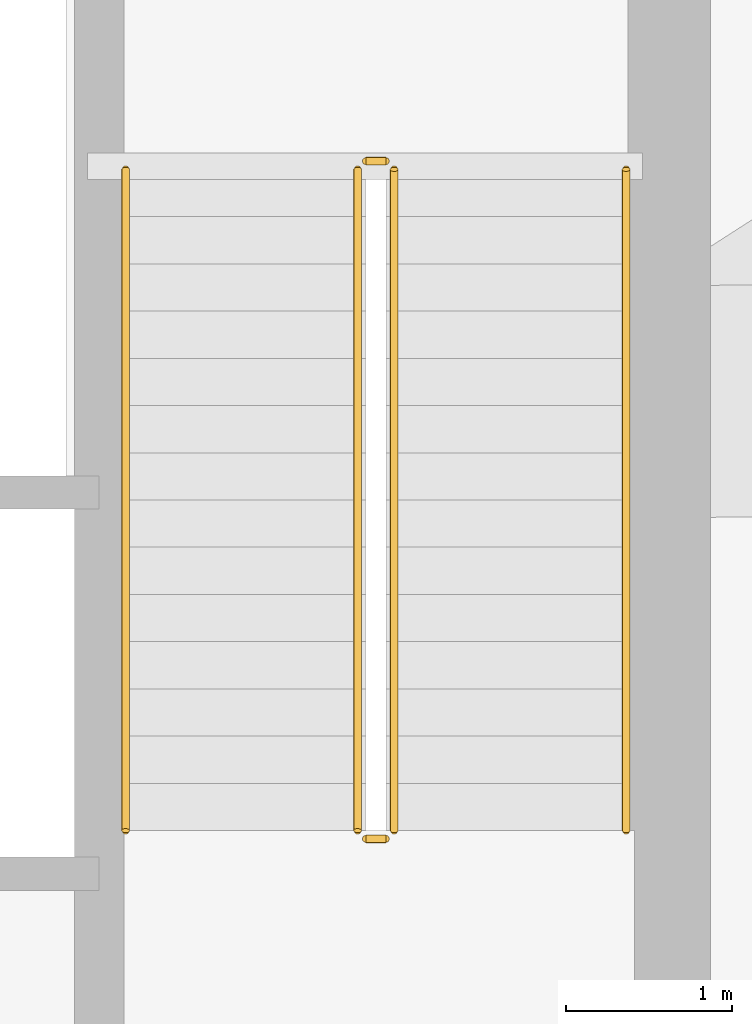
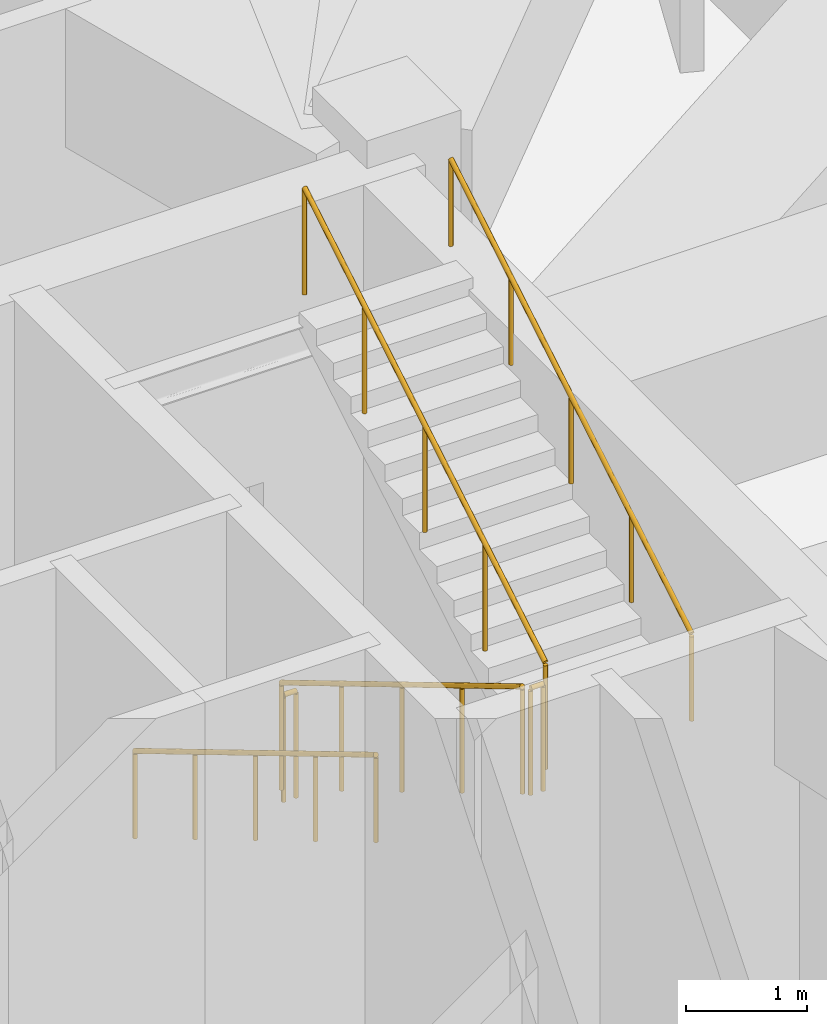
# One storey, part 18 of 18: 6 railings.
"""IFC4 building model written with IfcOpenShell, lengths in metres."""

import ifcopenshell
import ifcopenshell.guid

model = None  # the IFC model being written
_history = None  # IfcOwnerHistory: only IFC2X3 demands one
_inside = {}  # id of a spatial element -> (the spatial element, [elements in it])
_under = {}  # id of a project, library or spatial element -> (it, [spatial elements below it])
_declared = {}  # id of a project -> (the project, [libraries it declares])
_typed = {}  # id of a type object -> (the type object, [elements of that type])
_made_of = {}  # id of a material, layer set ... -> (it, [elements and type objects made of it])


def new_model(schema):
    """Start an empty IFC model of exactly this schema.

    Asked for "IFC4X3", IfcOpenShell would pick the latest addendum, in which some entities
    have other attributes; the version numbers below select the first issue.
    IFC2X3 requires an IfcOwnerHistory on every rooted entity: one is made here for all.
    """
    global model, _history
    if schema == "IFC4X3":
        model = ifcopenshell.file(schema_version=(4, 3, 0, 0))
    else:
        model = ifcopenshell.file(schema=schema)
    _inside.clear()
    _under.clear()
    _declared.clear()
    _typed.clear()
    _made_of.clear()
    _history = None
    if model.schema == "IFC2X3":
        org = make("IfcOrganization", Name="unknown")
        user = make(
            "IfcPersonAndOrganization",
            ThePerson=make("IfcPerson", FamilyName="unknown"),
            TheOrganization=org,
        )
        app = make(
            "IfcApplication",
            ApplicationDeveloper=org,
            Version="unknown",
            ApplicationFullName="unknown",
            ApplicationIdentifier="unknown",
        )
        _history = make(
            "IfcOwnerHistory",
            OwningUser=user,
            OwningApplication=app,
            ChangeAction="ADDED",
            CreationDate=0,
        )
    return model


def make(cls, **values):
    """One entity of the class cls with the attributes given. An attribute that is None is left unset."""
    return model.create_entity(
        cls, **{name: value for name, value in values.items() if value is not None}
    )


def rooted(cls, **values):
    """An entity with a GlobalId (a new one), such as an element, a storey or a relation."""
    return make(cls, GlobalId=ifcopenshell.guid.new(), OwnerHistory=_history, **values)


def si_unit(unit_type, name, prefix=None):
    """IfcSIUnit, for example si_unit("LENGTHUNIT", "METRE", prefix="MILLI")."""
    return make("IfcSIUnit", UnitType=unit_type, Prefix=prefix, Name=name)


def assignment(units):
    """IfcUnitAssignment: the units of a project."""
    return None if units is None else make("IfcUnitAssignment", Units=units)


def point(xyz):
    """IfcCartesianPoint."""
    return None if xyz is None else make("IfcCartesianPoint", Coordinates=xyz)


def direction(xyz):
    """IfcDirection."""
    return None if xyz is None else make("IfcDirection", DirectionRatios=xyz)


def frame(location, z_axis=None, x_axis=None):
    """IfcAxis2Placement3D, a coordinate frame: its origin and axes. An axis left out is left unset."""
    return make(
        "IfcAxis2Placement3D",
        Location=point(location),
        Axis=direction(z_axis),
        RefDirection=direction(x_axis),
    )


def frame_2d(location, x_axis=None):
    """IfcAxis2Placement2D, a coordinate frame in the plane: its origin and x axis."""
    return make(
        "IfcAxis2Placement2D", Location=point(location), RefDirection=direction(x_axis)
    )


def origin():
    """The frame at (0, 0, 0) with its axes left unset."""
    return frame((0.0, 0.0, 0.0))


def origin_2d():
    """The frame at (0, 0) in the plane with its x axis left unset."""
    return frame_2d((0.0, 0.0))


def place(relative_to, where):
    """IfcLocalPlacement: puts the frame where relative to a parent placement (None: the world)."""
    return make(
        "IfcLocalPlacement", PlacementRelTo=relative_to, RelativePlacement=where
    )


def context(
    kind, dimensions, precision=None, world=None, true_north=None, identifier=None
):
    """IfcGeometricRepresentationContext, for example the 3D "Model" context."""
    return make(
        "IfcGeometricRepresentationContext",
        ContextIdentifier=identifier,
        ContextType=kind,
        CoordinateSpaceDimension=dimensions,
        Precision=precision,
        WorldCoordinateSystem=world,
        TrueNorth=true_north,
    )


def subcontext(parent, identifier, kind, view, scale=None):
    """IfcGeometricRepresentationSubContext, for example "Body" below "Model"."""
    return make(
        "IfcGeometricRepresentationSubContext",
        ContextIdentifier=identifier,
        ContextType=kind,
        ParentContext=parent,
        TargetScale=scale,
        TargetView=view,
    )


def project(units=None, contexts=None):
    """IfcProject with its units and contexts."""
    return rooted(
        "IfcProject",
        Name="project",
        RepresentationContexts=contexts,
        UnitsInContext=assignment(units),
    )


def spatial(cls, under=None, at=None, **own):
    """A site, building, storey or space (cls), placed at a placement, below another one or the project."""
    s = rooted(cls, ObjectPlacement=at, **own)
    if under is not None:
        _under.setdefault(under.id(), (under, []))[1].append(s)
    return s


def profile(cls, at=None, kind="AREA", **sizes):
    """A parametric profile (cls). Its sizes go by their IFC names, for example OverallWidth=200.0."""
    return make(cls, ProfileType=kind, Position=at, **sizes)


def circle(**sizes):
    """IfcCircleProfileDef."""
    return profile("IfcCircleProfileDef", **sizes)


def extrude(swept, where, along, depth):
    """IfcExtrudedAreaSolid: the profile swept, set in the frame where, extruded along a direction by depth."""
    return make(
        "IfcExtrudedAreaSolid",
        SweptArea=swept,
        Position=where,
        ExtrudedDirection=direction(along),
        Depth=depth,
    )


def shape(context_of_items, identifier, shape_type, items):
    """IfcShapeRepresentation: the items that make up one representation, for example the "Body"."""
    return make(
        "IfcShapeRepresentation",
        ContextOfItems=context_of_items,
        RepresentationIdentifier=identifier,
        RepresentationType=shape_type,
        Items=items,
    )


def material(Name=None, Category=None):
    """IfcMaterial."""
    return make("IfcMaterial", Name=Name, Category=Category)


def made_of(thing, what):
    """Note that an element or type object is made of a material, layer set ...; save() writes the relation."""
    if what is not None:
        _made_of.setdefault(what.id(), (what, []))[1].append(thing)
    return thing


def type_object(cls, material=None, **own):
    """A type object (cls), such as IfcWallType, which elements share."""
    return made_of(rooted(cls, **own), material)


def element(
    cls,
    number,
    at=None,
    inside=None,
    cuts=None,
    type_object=None,
    material=None,
    context=None,
    identifier="Body",
    shape_type=None,
    held_by="IfcProductDefinitionShape",
    body=None,
    shapes=None,
    **own,
):
    """One element of the class cls, such as IfcWall. Its Tag is "e" and its number.

    at: its placement. inside: the storey or other place that contains it. cuts: it is an
    opening in that element (IfcRelVoidsElement). A single representation is given by context,
    identifier, shape_type and body (its items); several are given by shapes. held_by: the class
    of the entity that holds the representations. save() writes the other relations.
    """
    e = rooted(cls, Tag="e%d" % number, ObjectPlacement=at, **own)
    if body is not None:
        shapes = [shape(context, identifier, shape_type, body)]
    if shapes is not None:
        e.Representation = make(held_by, Representations=shapes)
    if inside is not None:
        _inside.setdefault(inside.id(), (inside, []))[1].append(e)
    if cuts is not None:
        rooted(
            "IfcRelVoidsElement", RelatingBuildingElement=cuts, RelatedOpeningElement=e
        )
    if type_object is not None:
        _typed.setdefault(type_object.id(), (type_object, []))[1].append(e)
    return made_of(e, material)


def aggregate(whole, parts):
    """IfcRelAggregates: a whole, such as a stair, and the parts it consists of."""
    return rooted("IfcRelAggregates", RelatingObject=whole, RelatedObjects=parts)


def save(model, path):
    """Write the relations noted so far, then the file.

    IfcRelAggregates (storeys below a building ...), IfcRelContainedInSpatialStructure (elements
    in a storey), IfcRelDefinesByType, IfcRelAssociatesMaterial and IfcRelDeclares: one each for
    every whole, place, type object, material and project.
    """
    for whole, parts in _under.values():
        aggregate(whole, parts)
    for where, things in _inside.values():
        rooted(
            "IfcRelContainedInSpatialStructure",
            RelatedElements=things,
            RelatingStructure=where,
        )
    for kind, things in _typed.values():
        rooted("IfcRelDefinesByType", RelatedObjects=things, RelatingType=kind)
    for what, things in _made_of.values():
        rooted("IfcRelAssociatesMaterial", RelatedObjects=things, RelatingMaterial=what)
    for by, libraries in _declared.values():
        rooted("IfcRelDeclares", RelatingContext=by, RelatedDefinitions=libraries)
    model.write(path)


model = new_model("IFC4")

# Units and contexts
model_context = context("Model", 3, precision=1e-05, world=origin(), true_north=direction((0.0, 1.0)))
body_context = subcontext(model_context, "Body", "Model", "MODEL_VIEW")
ifc_project = project(units=[si_unit("LENGTHUNIT", "METRE"), si_unit("AREAUNIT", "SQUARE_METRE"), si_unit("VOLUMEUNIT", "CUBIC_METRE"), si_unit("PLANEANGLEUNIT", "RADIAN"), si_unit("MASSUNIT", "GRAM", prefix="KILO")], contexts=[model_context])

# Site, building, storey
site_placement = place(None, origin())
site = spatial("IfcSite", under=ifc_project, at=site_placement, CompositionType="ELEMENT")
building_placement = place(site_placement, origin())
building = spatial("IfcBuilding", under=site, at=building_placement, Name="Qobustan Lattice House", CompositionType="ELEMENT")
storey_placement = place(building_placement, frame((0.0, 0.0, 174.550048828125)))
storey = spatial("IfcBuildingStorey", under=building, at=storey_placement, Name="L49", CompositionType="ELEMENT", Elevation=174.550048828125)

# Railings
ifc_material_1 = material(Name="Brushed stainless steel handrail", Category="steel")
railing_type_1 = type_object("IfcRailingType", Name="RAL-HR-920", PredefinedType="HANDRAIL", material=ifc_material_1)
railing_1_placement = place(storey_placement, frame((15.179931640625, 3.5, 0.169921875)))
element("IfcRailing", 1, at=railing_1_placement, inside=storey, type_object=railing_type_1, Name="L49 ST-E1 stair handrail 1", PredefinedType="HANDRAIL", context=body_context, shape_type="SweptSolid", body=[
    extrude(circle(Radius=0.02392578125, at=origin_2d()), frame((0.0, 0.0, 0.8759765625), z_axis=(0.0, -0.858806931142, 0.512299380267), x_axis=(1.0, 0.0, 0.0)), (0.0, 0.0, 1.0), 4.64599609375),
    extrude(circle(Radius=0.02099609375, at=origin_2d()), origin(), (0.0, 0.0, 1.0), 0.851806640625),
    extrude(circle(Radius=0.02099609375, at=origin_2d()), frame((0.0, -0.99755859375, 0.594970703125)), (0.0, 0.0, 1.0), 0.851806640625),
    extrude(circle(Radius=0.02099609375, at=origin_2d()), frame((0.0, -1.9951171875, 1.18994140625)), (0.0, 0.0, 1.0), 0.851806640625),
    extrude(circle(Radius=0.02099609375, at=origin_2d()), frame((0.0, -2.992431640625, 1.78515625)), (0.0, 0.0, 1.0), 0.851806640625),
    extrude(circle(Radius=0.02099609375, at=origin_2d()), frame((0.0, -3.989990234375, 2.380126953125)), (0.0, 0.0, 1.0), 0.851806640625),
])
railing_2_placement = place(storey_placement, frame((18.199951171875, -0.489990234375, 2.719970703125)))
element("IfcRailing", 2, at=railing_2_placement, inside=storey, type_object=railing_type_1, Name="L49 ST-E1 stair handrail 2", PredefinedType="HANDRAIL", context=body_context, shape_type="SweptSolid", body=[
    extrude(circle(Radius=0.02392578125, at=origin_2d()), frame((0.0, 0.0, 0.8759765625), z_axis=(0.0, 0.85883005064, 0.512260621284), x_axis=(-1.0, 0.0, 0.0)), (0.0, 0.0, 1.0), 4.645751953125),
    extrude(circle(Radius=0.02099609375, at=origin_2d()), origin(), (0.0, 0.0, 1.0), 0.851806640625),
    extrude(circle(Radius=0.02099609375, at=origin_2d()), frame((0.0, 0.99755859375, 0.594970703125)), (0.0, 0.0, 1.0), 0.851806640625),
    extrude(circle(Radius=0.02099609375, at=origin_2d()), frame((0.0, 1.9951171875, 1.18994140625)), (0.0, 0.0, 1.0), 0.851806640625),
    extrude(circle(Radius=0.02099609375, at=origin_2d()), frame((0.0, 2.992431640625, 1.784912109375)), (0.0, 0.0, 1.0), 0.851806640625),
    extrude(circle(Radius=0.02099609375, at=origin_2d()), frame((0.0, 3.989990234375, 2.3798828125)), (0.0, 0.0, 1.0), 0.851806640625),
])
ifc_material_2 = material(Name="Painted galvanized steel guardrail", Category="steel")
railing_type_2 = type_object("IfcRailingType", Name="RAL-STG-1150", PredefinedType="GUARDRAIL", material=ifc_material_2)
railing_3_placement = place(storey_placement, frame((16.580078125, 3.5, 0.169921875)))
element("IfcRailing", 3, at=railing_3_placement, inside=storey, type_object=railing_type_2, Name="L49 ST-E1 stair guard 1", PredefinedType="GUARDRAIL", context=body_context, shape_type="SweptSolid", body=[
    extrude(circle(Radius=0.02392578125, at=origin_2d()), frame((0.0, 0.0, 1.076171875), z_axis=(0.0, -0.858806931142, 0.512299380267), x_axis=(1.0, 0.0, 0.0)), (0.0, 0.0, 1.0), 4.64599609375),
    extrude(circle(Radius=0.02099609375, at=origin_2d()), origin(), (0.0, 0.0, 1.0), 1.052001953125),
    extrude(circle(Radius=0.02099609375, at=origin_2d()), frame((0.0, -0.99755859375, 0.594970703125)), (0.0, 0.0, 1.0), 1.052001953125),
    extrude(circle(Radius=0.02099609375, at=origin_2d()), frame((0.0, -1.9951171875, 1.18994140625)), (0.0, 0.0, 1.0), 1.052001953125),
    extrude(circle(Radius=0.02099609375, at=origin_2d()), frame((0.0, -2.992431640625, 1.78515625)), (0.0, 0.0, 1.0), 1.052001953125),
    extrude(circle(Radius=0.02099609375, at=origin_2d()), frame((0.0, -3.989990234375, 2.380126953125)), (0.0, 0.0, 1.0), 1.052001953125),
])
railing_4_placement = place(storey_placement, frame((16.6298828125, -0.5400390625, 2.550048828125)))
element("IfcRailing", 4, at=railing_4_placement, inside=storey, type_object=railing_type_2, Name="L49 ST-E1 stair guard 2", PredefinedType="GUARDRAIL", context=body_context, shape_type="SweptSolid", body=[
    extrude(circle(Radius=0.02392578125, at=origin_2d()), frame((0.0, 0.0, 1.076171875), z_axis=(1.0, 0.0, 0.0), x_axis=(0.0, 1.0, 0.0)), (0.0, 0.0, 1.0), 0.1201171875),
    extrude(circle(Radius=0.02099609375, at=origin_2d()), origin(), (0.0, 0.0, 1.0), 1.052001953125),
    extrude(circle(Radius=0.02099609375, at=origin_2d()), frame((0.1201171875, 0.0, 0.0)), (0.0, 0.0, 1.0), 1.052001953125),
])
railing_5_placement = place(storey_placement, frame((16.800048828125, -0.489990234375, 2.719970703125)))
element("IfcRailing", 5, at=railing_5_placement, inside=storey, type_object=railing_type_2, Name="L49 ST-E1 stair guard 3", PredefinedType="GUARDRAIL", context=body_context, shape_type="SweptSolid", body=[
    extrude(circle(Radius=0.02392578125, at=origin_2d()), frame((0.0, 0.0, 1.076171875), z_axis=(0.0, 0.85883005064, 0.512260621284), x_axis=(-1.0, 0.0, 0.0)), (0.0, 0.0, 1.0), 4.645751953125),
    extrude(circle(Radius=0.02099609375, at=origin_2d()), origin(), (0.0, 0.0, 1.0), 1.052001953125),
    extrude(circle(Radius=0.02099609375, at=origin_2d()), frame((0.0, 0.99755859375, 0.594970703125)), (0.0, 0.0, 1.0), 1.052001953125),
    extrude(circle(Radius=0.02099609375, at=origin_2d()), frame((0.0, 1.9951171875, 1.18994140625)), (0.0, 0.0, 1.0), 1.052001953125),
    extrude(circle(Radius=0.02099609375, at=origin_2d()), frame((0.0, 2.992431640625, 1.784912109375)), (0.0, 0.0, 1.0), 1.052001953125),
    extrude(circle(Radius=0.02099609375, at=origin_2d()), frame((0.0, 3.989990234375, 2.3798828125)), (0.0, 0.0, 1.0), 1.052001953125),
])
railing_6_placement = place(storey_placement, frame((16.6298828125, 3.550048828125, 0.0)))
element("IfcRailing", 6, at=railing_6_placement, inside=storey, type_object=railing_type_2, Name="L49 ST-E1 stair guard 4", PredefinedType="GUARDRAIL", context=body_context, shape_type="SweptSolid", body=[
    extrude(circle(Radius=0.02392578125, at=origin_2d()), frame((0.0, 0.0, 1.076171875), z_axis=(1.0, 0.0, 0.0), x_axis=(0.0, 1.0, 0.0)), (0.0, 0.0, 1.0), 0.1201171875),
    extrude(circle(Radius=0.02099609375, at=origin_2d()), origin(), (0.0, 0.0, 1.0), 1.052001953125),
    extrude(circle(Radius=0.02099609375, at=origin_2d()), frame((0.1201171875, 0.0, 0.0)), (0.0, 0.0, 1.0), 1.052001953125),
])

save(model, "model.ifc")
